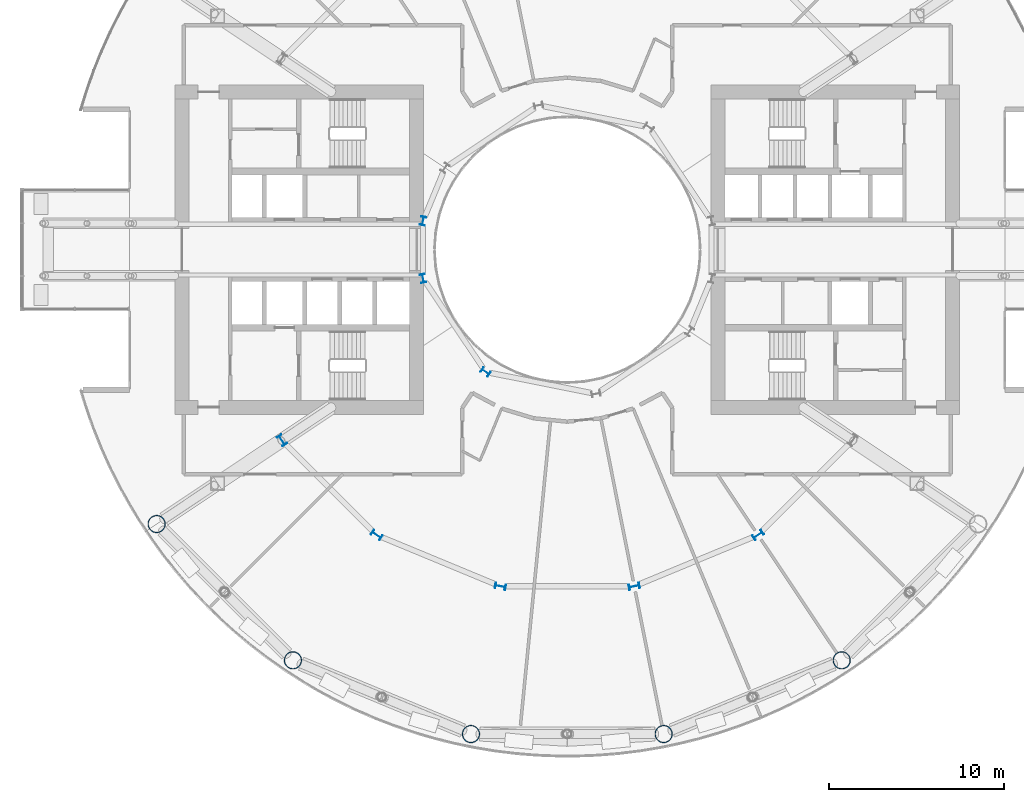
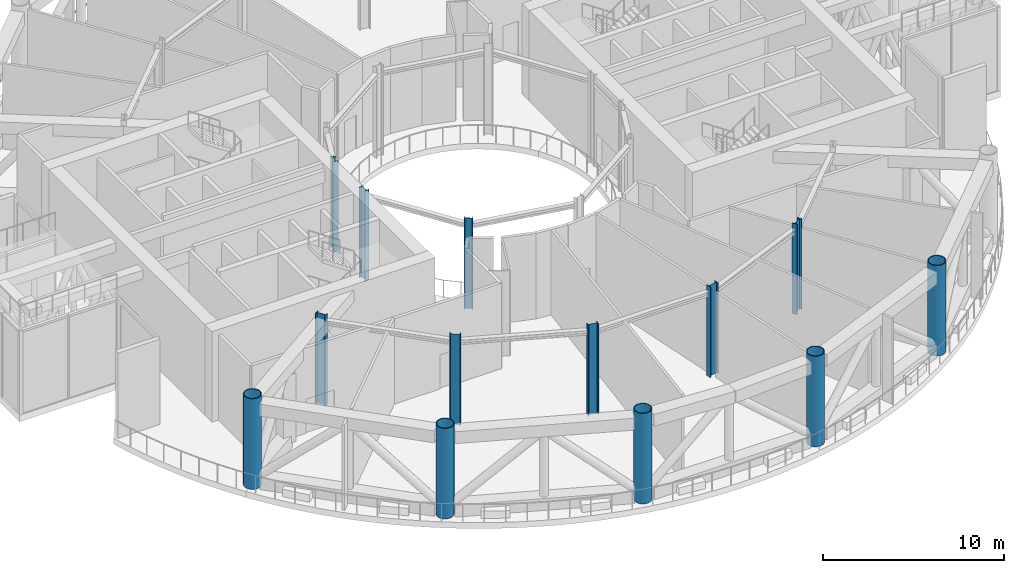
# One storey, part 1 of 22: 13 columns.
"""IFC4 building model written with IfcOpenShell, lengths in metres."""

import ifcopenshell
import ifcopenshell.guid

model = None  # the IFC model being written
_history = None  # IfcOwnerHistory: only IFC2X3 demands one
_inside = {}  # id of a spatial element -> (the spatial element, [elements in it])
_under = {}  # id of a project, library or spatial element -> (it, [spatial elements below it])
_declared = {}  # id of a project -> (the project, [libraries it declares])
_typed = {}  # id of a type object -> (the type object, [elements of that type])
_made_of = {}  # id of a material, layer set ... -> (it, [elements and type objects made of it])


def new_model(schema):
    """Start an empty IFC model of exactly this schema.

    Asked for "IFC4X3", IfcOpenShell would pick the latest addendum, in which some entities
    have other attributes; the version numbers below select the first issue.
    IFC2X3 requires an IfcOwnerHistory on every rooted entity: one is made here for all.
    """
    global model, _history
    if schema == "IFC4X3":
        model = ifcopenshell.file(schema_version=(4, 3, 0, 0))
    else:
        model = ifcopenshell.file(schema=schema)
    _inside.clear()
    _under.clear()
    _declared.clear()
    _typed.clear()
    _made_of.clear()
    _history = None
    if model.schema == "IFC2X3":
        org = make("IfcOrganization", Name="unknown")
        user = make(
            "IfcPersonAndOrganization",
            ThePerson=make("IfcPerson", FamilyName="unknown"),
            TheOrganization=org,
        )
        app = make(
            "IfcApplication",
            ApplicationDeveloper=org,
            Version="unknown",
            ApplicationFullName="unknown",
            ApplicationIdentifier="unknown",
        )
        _history = make(
            "IfcOwnerHistory",
            OwningUser=user,
            OwningApplication=app,
            ChangeAction="ADDED",
            CreationDate=0,
        )
    return model


def make(cls, **values):
    """One entity of the class cls with the attributes given. An attribute that is None is left unset."""
    return model.create_entity(
        cls, **{name: value for name, value in values.items() if value is not None}
    )


def rooted(cls, **values):
    """An entity with a GlobalId (a new one), such as an element, a storey or a relation."""
    return make(cls, GlobalId=ifcopenshell.guid.new(), OwnerHistory=_history, **values)


def si_unit(unit_type, name, prefix=None):
    """IfcSIUnit, for example si_unit("LENGTHUNIT", "METRE", prefix="MILLI")."""
    return make("IfcSIUnit", UnitType=unit_type, Prefix=prefix, Name=name)


def assignment(units):
    """IfcUnitAssignment: the units of a project."""
    return None if units is None else make("IfcUnitAssignment", Units=units)


def point(xyz):
    """IfcCartesianPoint."""
    return None if xyz is None else make("IfcCartesianPoint", Coordinates=xyz)


def direction(xyz):
    """IfcDirection."""
    return None if xyz is None else make("IfcDirection", DirectionRatios=xyz)


def frame(location, z_axis=None, x_axis=None):
    """IfcAxis2Placement3D, a coordinate frame: its origin and axes. An axis left out is left unset."""
    return make(
        "IfcAxis2Placement3D",
        Location=point(location),
        Axis=direction(z_axis),
        RefDirection=direction(x_axis),
    )


def frame_2d(location, x_axis=None):
    """IfcAxis2Placement2D, a coordinate frame in the plane: its origin and x axis."""
    return make(
        "IfcAxis2Placement2D", Location=point(location), RefDirection=direction(x_axis)
    )


def origin():
    """The frame at (0, 0, 0) with its axes left unset."""
    return frame((0.0, 0.0, 0.0))


def origin_2d():
    """The frame at (0, 0) in the plane with its x axis left unset."""
    return frame_2d((0.0, 0.0))


def place(relative_to, where):
    """IfcLocalPlacement: puts the frame where relative to a parent placement (None: the world)."""
    return make(
        "IfcLocalPlacement", PlacementRelTo=relative_to, RelativePlacement=where
    )


def context(
    kind, dimensions, precision=None, world=None, true_north=None, identifier=None
):
    """IfcGeometricRepresentationContext, for example the 3D "Model" context."""
    return make(
        "IfcGeometricRepresentationContext",
        ContextIdentifier=identifier,
        ContextType=kind,
        CoordinateSpaceDimension=dimensions,
        Precision=precision,
        WorldCoordinateSystem=world,
        TrueNorth=true_north,
    )


def subcontext(parent, identifier, kind, view, scale=None):
    """IfcGeometricRepresentationSubContext, for example "Body" below "Model"."""
    return make(
        "IfcGeometricRepresentationSubContext",
        ContextIdentifier=identifier,
        ContextType=kind,
        ParentContext=parent,
        TargetScale=scale,
        TargetView=view,
    )


def project(units=None, contexts=None):
    """IfcProject with its units and contexts."""
    return rooted(
        "IfcProject",
        Name="project",
        RepresentationContexts=contexts,
        UnitsInContext=assignment(units),
    )


def spatial(cls, under=None, at=None, **own):
    """A site, building, storey or space (cls), placed at a placement, below another one or the project."""
    s = rooted(cls, ObjectPlacement=at, **own)
    if under is not None:
        _under.setdefault(under.id(), (under, []))[1].append(s)
    return s


def profile(cls, at=None, kind="AREA", **sizes):
    """A parametric profile (cls). Its sizes go by their IFC names, for example OverallWidth=200.0."""
    return make(cls, ProfileType=kind, Position=at, **sizes)


def hollow_circle(**sizes):
    """IfcCircleHollowProfileDef."""
    return profile("IfcCircleHollowProfileDef", **sizes)


def i_section(**sizes):
    """IfcIShapeProfileDef."""
    return profile("IfcIShapeProfileDef", **sizes)


def extrude(swept, where, along, depth):
    """IfcExtrudedAreaSolid: the profile swept, set in the frame where, extruded along a direction by depth."""
    return make(
        "IfcExtrudedAreaSolid",
        SweptArea=swept,
        Position=where,
        ExtrudedDirection=direction(along),
        Depth=depth,
    )


def shape(context_of_items, identifier, shape_type, items):
    """IfcShapeRepresentation: the items that make up one representation, for example the "Body"."""
    return make(
        "IfcShapeRepresentation",
        ContextOfItems=context_of_items,
        RepresentationIdentifier=identifier,
        RepresentationType=shape_type,
        Items=items,
    )


def material(Name=None, Category=None):
    """IfcMaterial."""
    return make("IfcMaterial", Name=Name, Category=Category)


def material_profile(
    of_material, cross_section, Name=None, Category=None, Priority=None
):
    """IfcMaterialProfile: a cross section and its material."""
    return make(
        "IfcMaterialProfile",
        Name=Name,
        Material=of_material,
        Profile=cross_section,
        Priority=Priority,
        Category=Category,
    )


def profile_set(profiles, Name=None, composite=None):
    """IfcMaterialProfileSet."""
    return make(
        "IfcMaterialProfileSet",
        Name=Name,
        MaterialProfiles=profiles,
        CompositeProfile=composite,
    )


def made_of(thing, what):
    """Note that an element or type object is made of a material, layer set ...; save() writes the relation."""
    if what is not None:
        _made_of.setdefault(what.id(), (what, []))[1].append(thing)
    return thing


def type_object(cls, material=None, **own):
    """A type object (cls), such as IfcWallType, which elements share."""
    return made_of(rooted(cls, **own), material)


def element(
    cls,
    number,
    at=None,
    inside=None,
    cuts=None,
    type_object=None,
    material=None,
    context=None,
    identifier="Body",
    shape_type=None,
    held_by="IfcProductDefinitionShape",
    body=None,
    shapes=None,
    **own,
):
    """One element of the class cls, such as IfcWall. Its Tag is "e" and its number.

    at: its placement. inside: the storey or other place that contains it. cuts: it is an
    opening in that element (IfcRelVoidsElement). A single representation is given by context,
    identifier, shape_type and body (its items); several are given by shapes. held_by: the class
    of the entity that holds the representations. save() writes the other relations.
    """
    e = rooted(cls, Tag="e%d" % number, ObjectPlacement=at, **own)
    if body is not None:
        shapes = [shape(context, identifier, shape_type, body)]
    if shapes is not None:
        e.Representation = make(held_by, Representations=shapes)
    if inside is not None:
        _inside.setdefault(inside.id(), (inside, []))[1].append(e)
    if cuts is not None:
        rooted(
            "IfcRelVoidsElement", RelatingBuildingElement=cuts, RelatedOpeningElement=e
        )
    if type_object is not None:
        _typed.setdefault(type_object.id(), (type_object, []))[1].append(e)
    return made_of(e, material)


def aggregate(whole, parts):
    """IfcRelAggregates: a whole, such as a stair, and the parts it consists of."""
    return rooted("IfcRelAggregates", RelatingObject=whole, RelatedObjects=parts)


def save(model, path):
    """Write the relations noted so far, then the file.

    IfcRelAggregates (storeys below a building ...), IfcRelContainedInSpatialStructure (elements
    in a storey), IfcRelDefinesByType, IfcRelAssociatesMaterial and IfcRelDeclares: one each for
    every whole, place, type object, material and project.
    """
    for whole, parts in _under.values():
        aggregate(whole, parts)
    for where, things in _inside.values():
        rooted(
            "IfcRelContainedInSpatialStructure",
            RelatedElements=things,
            RelatingStructure=where,
        )
    for kind, things in _typed.values():
        rooted("IfcRelDefinesByType", RelatedObjects=things, RelatingType=kind)
    for what, things in _made_of.values():
        rooted("IfcRelAssociatesMaterial", RelatedObjects=things, RelatingMaterial=what)
    for by, libraries in _declared.values():
        rooted("IfcRelDeclares", RelatingContext=by, RelatedDefinitions=libraries)
    model.write(path)


model = new_model("IFC4")

# Units and contexts
model_context = context("Model", 3, precision=1e-05, world=origin(), true_north=direction((0.0, 1.0)))
body_context = subcontext(model_context, "Body", "Model", "MODEL_VIEW")
ifc_project = project(units=[si_unit("LENGTHUNIT", "METRE"), si_unit("AREAUNIT", "SQUARE_METRE"), si_unit("VOLUMEUNIT", "CUBIC_METRE"), si_unit("PLANEANGLEUNIT", "RADIAN"), si_unit("MASSUNIT", "GRAM", prefix="KILO")], contexts=[model_context])

# Site, building, storey
site_placement = place(None, origin())
site = spatial("IfcSite", under=ifc_project, at=site_placement, CompositionType="ELEMENT")
building_placement = place(site_placement, origin())
building = spatial("IfcBuilding", under=site, at=building_placement, Name="Maasbend Ring Residences", CompositionType="ELEMENT")
storey_placement = place(building_placement, frame((0.0, 0.0, 57.5)))
storey = spatial("IfcBuildingStorey", under=building, at=storey_placement, Name="L16", CompositionType="ELEMENT", Elevation=57.5)

# Columns
ifc_material_1 = material(Name="Composite concrete-filled steel tube S460NH / C80/95", Category="concrete")
ifc_material_profile_1 = material_profile(ifc_material_1, hollow_circle(Radius=0.508056640625, WallThickness=0.050048828125, at=origin_2d()), Name="Composite tube column CHS 1016x50")
ifc_profile_set_1 = profile_set([ifc_material_profile_1], Name="Composite concrete-filled steel tube S460NH / C80/95")
column_type_1 = type_object("IfcColumnType", Name="Composite tube column CHS 1016x50", PredefinedType="COLUMN", material=ifc_profile_set_1)
for number, where, z_axis, x_axis, name in (
    (1, (-23.447509765625, -15.6669921875, 0.0), (0.0, 0.0, 1.0), (1.0, 0.0, 0.0), "Outer column R10"),
    (2, (-15.6669921875, -23.447509765625, 0.0), (0.0, 0.0, 1.0), (1.0, 0.0, 0.0), "Outer column R11"),
    (3, (-5.50146484375, -27.658203125, 0.0), (0.0, 0.0, 1.0), (1.0, 0.0, 0.0), "Outer column R12"),
    (4, (5.50146484375, -27.658203125, 0.0), (0.0, 0.0, 1.0), (1.0, 0.0, 0.0), "Outer column R13"),
    (5, (15.6669921875, -23.447509765625, 0.0), (0.0, 0.0, 1.0), (1.0, 0.0, 0.0), "Outer column R14"),
):
    element("IfcColumn", number, at=place(storey_placement, frame(where, z_axis=z_axis, x_axis=x_axis)), inside=storey, type_object=column_type_1, Name=name, PredefinedType="COLUMN", context=body_context, shape_type="SweptSolid", body=[
        extrude(hollow_circle(Radius=0.508056640625, WallThickness=0.050048828125, at=origin_2d()), origin(), (0.0, 0.0, 1.0), 6.10009765625),
    ])
ifc_material_2 = material(Name="Steel S355J2", Category="steel")
ifc_material_profile_2 = material_profile(ifc_material_2, i_section(OverallWidth=0.300048828125, OverallDepth=0.5, WebThickness=0.014404296875, FlangeThickness=0.028076171875, FilletRadius=0.027099609375, at=origin_2d()), Name="HEB 500")
ifc_profile_set_2 = profile_set([ifc_material_profile_2], Name="Steel S355J2")
column_type_2 = type_object("IfcColumnType", Name="Steel column HEB 500", PredefinedType="COLUMN", material=ifc_profile_set_2)
for number, where, z_axis, x_axis, name in (
    (6, (-8.238525390625, 1.638916015625, 0.0), (0.0, 0.0, 1.0), (-0.980785280403, 0.195090322016, 0.0), "Well ring column R8"),
    (7, (-8.238525390625, -1.638916015625, 0.0), (0.0, 0.0, 1.0), (-0.980785280403, -0.195090322016, 0.0), "Well ring column R9"),
    (8, (-4.666748046875, -6.984375, 0.0), (0.0, 0.0, 1.0), (-0.55557023302, -0.831469612303, 0.0), "Well ring column R11"),
):
    element("IfcColumn", number, at=place(storey_placement, frame(where, z_axis=z_axis, x_axis=x_axis)), inside=storey, type_object=column_type_2, Name=name, PredefinedType="COLUMN", context=body_context, shape_type="SweptSolid", body=[
        extrude(i_section(OverallWidth=0.300048828125, OverallDepth=0.5, WebThickness=0.014404296875, FlangeThickness=0.028076171875, FilletRadius=0.027099609375, at=origin_2d()), origin(), (0.0, 0.0, 1.0), 6.10009765625),
    ])
ifc_material_3 = material(Name="Steel S460M", Category="steel")
ifc_material_profile_3 = material_profile(ifc_material_3, i_section(OverallWidth=0.304931640625, OverallDepth=0.6201171875, WebThickness=0.02099609375, FlangeThickness=0.0400390625, FilletRadius=0.027099609375, at=origin_2d()), Name="HEM 600")
ifc_profile_set_3 = profile_set([ifc_material_profile_3], Name="Steel S460M")
column_type_3 = type_object("IfcColumnType", Name="Steel column HEM 600", PredefinedType="COLUMN", material=ifc_profile_set_3)
for number, where, z_axis, x_axis, name in (
    (9, (-16.296875, -10.88916015625, 0.0), (0.0, 0.0, 1.0), (-0.831469612303, -0.55557023302, 0.0), "Corridor ring column R10"),
    (10, (-10.88916015625, -16.296875, 0.0), (0.0, 0.0, 1.0), (-0.55557023302, -0.831469612303, 0.0), "Corridor ring column R11"),
    (11, (-3.82373046875, -19.223388671875, 0.0), (0.0, 0.0, 1.0), (-0.195090322016, -0.980785280403, 0.0), "Corridor ring column R12"),
    (12, (3.82373046875, -19.223388671875, 0.0), (0.0, 0.0, 1.0), (0.195090322016, -0.980785280403, 0.0), "Corridor ring column R13"),
    (13, (10.88916015625, -16.296875, 0.0), (0.0, 0.0, 1.0), (0.55557023302, -0.831469612303, 0.0), "Corridor ring column R14"),
):
    element("IfcColumn", number, at=place(storey_placement, frame(where, z_axis=z_axis, x_axis=x_axis)), inside=storey, type_object=column_type_3, Name=name, PredefinedType="COLUMN", context=body_context, shape_type="SweptSolid", body=[
        extrude(i_section(OverallWidth=0.304931640625, OverallDepth=0.6201171875, WebThickness=0.02099609375, FlangeThickness=0.0400390625, FilletRadius=0.027099609375, at=origin_2d()), origin(), (0.0, 0.0, 1.0), 6.10009765625),
    ])

save(model, "model.ifc")
